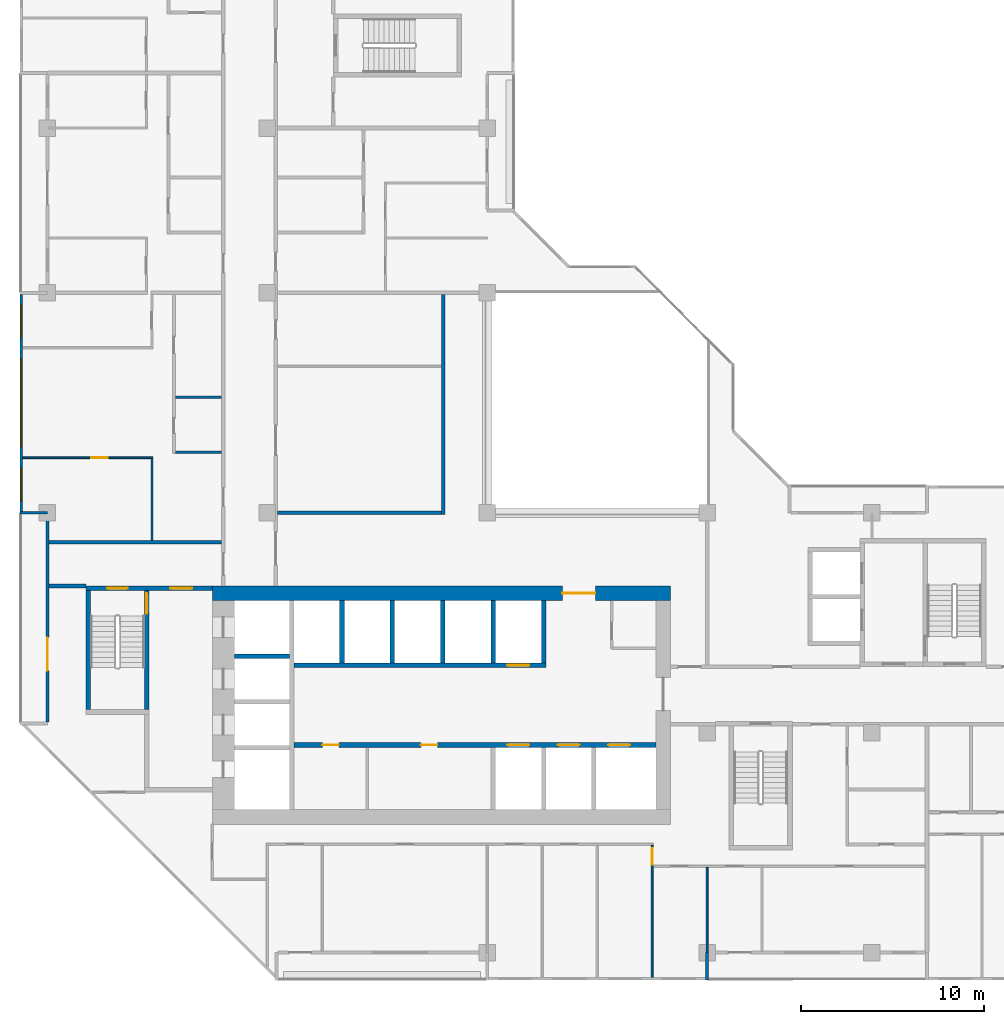
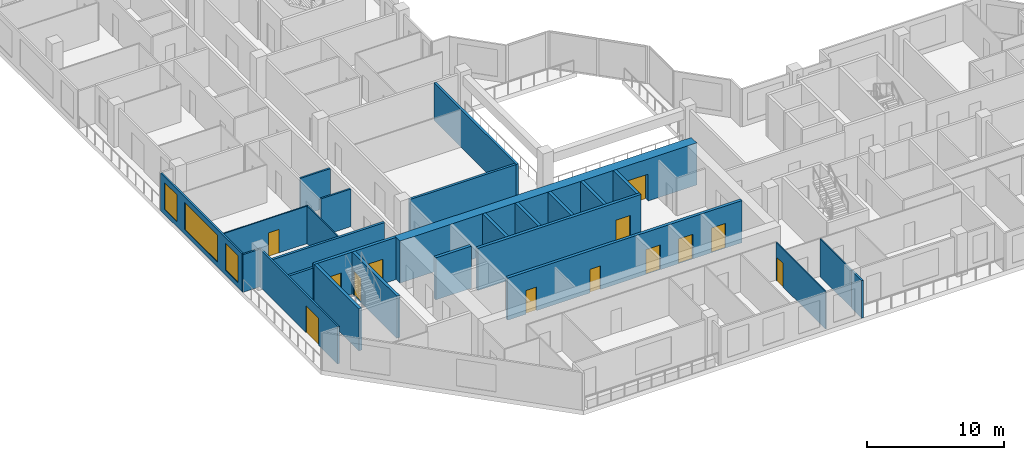
# One storey, part 5 of 15: 26 walls, 13 doors, 3 windows, 16 openings.
"""IFC4 building model written with IfcOpenShell, lengths in metres."""

from ifc_helpers import new_model, si_unit, direction, frame, frame_2d, origin, place, context, subcontext, project, spatial, rectangle, extrude, material, layer, layer_set, type_object, element, fill, save


model = new_model("IFC4")

# Units and contexts
model_context = context("Model", 3, precision=1e-05, world=origin(), true_north=direction((0.0, 1.0)))
body_context = subcontext(model_context, "Body", "Model", "MODEL_VIEW")
ifc_project = project(units=[si_unit("LENGTHUNIT", "METRE"), si_unit("AREAUNIT", "SQUARE_METRE"), si_unit("VOLUMEUNIT", "CUBIC_METRE"), si_unit("PLANEANGLEUNIT", "RADIAN"), si_unit("MASSUNIT", "GRAM", prefix="KILO")], contexts=[model_context])

# Site, building, storey
site_placement = place(None, origin())
site = spatial("IfcSite", under=ifc_project, at=site_placement, CompositionType="ELEMENT")
building_placement = place(site_placement, origin())
building = spatial("IfcBuilding", under=site, at=building_placement, Name="Chenar Terraces", CompositionType="ELEMENT")
storey_placement = place(building_placement, frame((0.0, 0.0, 198.64990234375)))
storey = spatial("IfcBuildingStorey", under=building, at=storey_placement, Name="L46", CompositionType="ELEMENT", Elevation=198.64990234375)

# Wall, openings, doors
ifc_material_1 = material(Name="Concrete C60/75", Category="concrete")
ifc_layer_1 = layer(ifc_material_1, 0.25)
ifc_layer_set_1 = layer_set([ifc_layer_1], Name="Concrete C60/75")
wall_type_1 = type_object("IfcWallType", Name="Core wall 250 Concrete C60/75", PredefinedType="SHEAR", material=ifc_layer_set_1)
wall_1_placement = place(storey_placement, frame((13.449951171875, 11.324951171875, 0.0), z_axis=(0.0, 0.0, 1.0), x_axis=(1.0, 0.0, 0.0)))
wall_1 = element("IfcWall", 1, at=wall_1_placement, inside=storey, type_object=wall_type_1, Name="Core wall SF L46", PredefinedType="SHEAR", context=body_context, shape_type="SweptSolid", body=[
    extrude(rectangle(XDim=19.75, YDim=0.25, at=frame_2d((9.875, 0.0))), origin(), (0.0, 0.0, 1.0), 3.75),
])
opening_1_placement = place(wall_1_placement, frame((11.64990234375, 0.0, 0.0)))
opening_1 = element("IfcOpeningElement", 2, at=opening_1_placement, cuts=wall_1, Name="Opening DL46-LD1", PredefinedType="OPENING", context=body_context, shape_type="SweptSolid", body=[
    extrude(rectangle(XDim=1.199951171875, YDim=2.199951171875, at=frame_2d((0.60009765625, 1.10009765625))), frame((0.0, 0.135009765625, 0.0), z_axis=(0.0, -1.0, 0.0), x_axis=(1.0, 0.0, 0.0)), (0.0, 0.0, 1.0), 0.27001953125),
])
opening_2_placement = place(wall_1_placement, frame((14.39990234375, 0.0, 0.0)))
opening_2 = element("IfcOpeningElement", 3, at=opening_2_placement, cuts=wall_1, Name="Opening DL46-LD2", PredefinedType="OPENING", context=body_context, shape_type="SweptSolid", body=[
    extrude(rectangle(XDim=1.199951171875, YDim=2.199951171875, at=frame_2d((0.60009765625, 1.10009765625))), frame((0.0, 0.135009765625, 0.0), z_axis=(0.0, -1.0, 0.0), x_axis=(1.0, 0.0, 0.0)), (0.0, 0.0, 1.0), 0.27001953125),
])
opening_3_placement = place(wall_1_placement, frame((17.14990234375, 0.0, 0.0)))
opening_3 = element("IfcOpeningElement", 4, at=opening_3_placement, cuts=wall_1, Name="Opening DL46-LD3", PredefinedType="OPENING", context=body_context, shape_type="SweptSolid", body=[
    extrude(rectangle(XDim=1.199951171875, YDim=2.199951171875, at=frame_2d((0.60009765625, 1.10009765625))), frame((0.0, 0.135009765625, 0.0), z_axis=(0.0, -1.0, 0.0), x_axis=(1.0, 0.0, 0.0)), (0.0, 0.0, 1.0), 0.27001953125),
])
opening_4_placement = place(wall_1_placement, frame((1.550048828125, 0.0, 0.0)))
opening_4 = element("IfcOpeningElement", 5, at=opening_4_placement, cuts=wall_1, Name="Opening DL46-C12", PredefinedType="OPENING", context=body_context, shape_type="SweptSolid", body=[
    extrude(rectangle(XDim=0.89990234375, YDim=2.10009765625, at=frame_2d((0.449951171875, 1.050048828125))), frame((0.0, 0.135009765625, 0.0), z_axis=(0.0, -1.0, 0.0), x_axis=(1.0, 0.0, 0.0)), (0.0, 0.0, 1.0), 0.27001953125),
])
opening_5_placement = place(wall_1_placement, frame((6.925048828125, 0.0, 0.0)))
opening_5 = element("IfcOpeningElement", 6, at=opening_5_placement, cuts=wall_1, Name="Opening DL46-C13", PredefinedType="OPENING", context=body_context, shape_type="SweptSolid", body=[
    extrude(rectangle(XDim=0.89990234375, YDim=2.10009765625, at=frame_2d((0.449951171875, 1.050048828125))), frame((0.0, 0.135009765625, 0.0), z_axis=(0.0, -1.0, 0.0), x_axis=(1.0, 0.0, 0.0)), (0.0, 0.0, 1.0), 0.27001953125),
])
ifc_material_2 = material(Name="Stainless steel", Category="steel")
door_type_1 = type_object("IfcDoorType", Name="Lift landing door 1200 x 2200 sliding", OperationType="DOUBLE_DOOR_SLIDING", PredefinedType="DOOR", material=ifc_material_2)
door_1_placement = place(opening_1_placement, origin())
door_1 = element("IfcDoor", 7, at=door_1_placement, inside=storey, type_object=door_type_1, Name="Landing door M1", OperationType="DOUBLE_DOOR_SLIDING", OverallHeight=2.199951171875, OverallWidth=1.199951171875, PredefinedType="DOOR", context=body_context, shape_type="SweptSolid", body=[
    extrude(rectangle(XDim=1.199951171875, YDim=2.199951171875, at=frame_2d((0.60009765625, 1.10009765625))), frame((0.0, 0.02490234375, 0.0), z_axis=(0.0, -1.0, 0.0), x_axis=(1.0, 0.0, 0.0)), (0.0, 0.0, 1.0), 0.050048828125),
])
fill(opening_1, door_1)
door_2_placement = place(opening_2_placement, origin())
door_2 = element("IfcDoor", 8, at=door_2_placement, inside=storey, type_object=door_type_1, Name="Landing door M2", OperationType="DOUBLE_DOOR_SLIDING", OverallHeight=2.199951171875, OverallWidth=1.199951171875, PredefinedType="DOOR", context=body_context, shape_type="SweptSolid", body=[
    extrude(rectangle(XDim=1.199951171875, YDim=2.199951171875, at=frame_2d((0.60009765625, 1.10009765625))), frame((0.0, 0.02490234375, 0.0), z_axis=(0.0, -1.0, 0.0), x_axis=(1.0, 0.0, 0.0)), (0.0, 0.0, 1.0), 0.050048828125),
])
fill(opening_2, door_2)
door_3_placement = place(opening_3_placement, origin())
door_3 = element("IfcDoor", 9, at=door_3_placement, inside=storey, type_object=door_type_1, Name="Landing door M3", OperationType="DOUBLE_DOOR_SLIDING", OverallHeight=2.199951171875, OverallWidth=1.199951171875, PredefinedType="DOOR", context=body_context, shape_type="SweptSolid", body=[
    extrude(rectangle(XDim=1.199951171875, YDim=2.199951171875, at=frame_2d((0.60009765625, 1.10009765625))), frame((0.0, 0.02490234375, 0.0), z_axis=(0.0, -1.0, 0.0), x_axis=(1.0, 0.0, 0.0)), (0.0, 0.0, 1.0), 0.050048828125),
])
fill(opening_3, door_3)
ifc_material_3 = material(Name="Steel-framed fire-resisting door leaf", Category="steel")
door_type_2 = type_object("IfcDoorType", Name="Riser fire door FD60 900 x 2100", OperationType="SINGLE_SWING_LEFT", PredefinedType="DOOR", material=ifc_material_3)
door_4_placement = place(opening_4_placement, frame((0.89990234375, 0.0, 0.0), z_axis=(0.0, 0.0, 1.0), x_axis=(-1.0, 0.0, 0.0)))
door_4 = element("IfcDoor", 10, at=door_4_placement, inside=storey, type_object=door_type_2, Name="Core room door DL46-C12", OperationType="SINGLE_SWING_LEFT", OverallHeight=2.10009765625, OverallWidth=0.89990234375, PredefinedType="DOOR", context=body_context, shape_type="SweptSolid", body=[
    extrude(rectangle(XDim=0.89990234375, YDim=2.10009765625, at=frame_2d((0.449951171875, 1.050048828125))), frame((0.0, 0.02490234375, 0.0), z_axis=(0.0, -1.0, 0.0), x_axis=(1.0, 0.0, 0.0)), (0.0, 0.0, 1.0), 0.050048828125),
])
fill(opening_4, door_4)
door_5_placement = place(opening_5_placement, frame((0.89990234375, 0.0, 0.0), z_axis=(0.0, 0.0, 1.0), x_axis=(-1.0, 0.0, 0.0)))
door_5 = element("IfcDoor", 11, at=door_5_placement, inside=storey, type_object=door_type_2, Name="Core room door DL46-C13", OperationType="SINGLE_SWING_RIGHT", OverallHeight=2.10009765625, OverallWidth=0.89990234375, PredefinedType="DOOR", context=body_context, shape_type="SweptSolid", body=[
    extrude(rectangle(XDim=0.89990234375, YDim=2.10009765625, at=frame_2d((0.449951171875, 1.050048828125))), frame((0.0, 0.02490234375, 0.0), z_axis=(0.0, -1.0, 0.0), x_axis=(1.0, 0.0, 0.0)), (0.0, 0.0, 1.0), 0.050048828125),
])
fill(opening_5, door_5)

# Wall, opening, door
wall_2_placement = place(storey_placement, frame((13.449951171875, 15.675048828125, 0.0), z_axis=(0.0, 0.0, 1.0), x_axis=(1.0, 0.0, 0.0)))
wall_2 = element("IfcWall", 12, at=wall_2_placement, inside=storey, type_object=wall_type_1, Name="Core wall NF L46", PredefinedType="SHEAR", context=body_context, shape_type="SweptSolid", body=[
    extrude(rectangle(XDim=13.75, YDim=0.25, at=frame_2d((6.875, 0.0))), origin(), (0.0, 0.0, 1.0), 3.75),
])
opening_6_placement = place(wall_2_placement, frame((11.64990234375, 0.0, 0.0)))
opening_6 = element("IfcOpeningElement", 13, at=opening_6_placement, cuts=wall_2, Name="Opening DL46-LD4", PredefinedType="OPENING", context=body_context, shape_type="SweptSolid", body=[
    extrude(rectangle(XDim=1.199951171875, YDim=2.199951171875, at=frame_2d((0.60009765625, 1.10009765625))), frame((0.0, 0.135009765625, 0.0), z_axis=(0.0, -1.0, 0.0), x_axis=(1.0, 0.0, 0.0)), (0.0, 0.0, 1.0), 0.27001953125),
])
door_6_placement = place(opening_6_placement, origin())
door_6 = element("IfcDoor", 14, at=door_6_placement, inside=storey, type_object=door_type_1, Name="Landing door M4", OperationType="DOUBLE_DOOR_SLIDING", OverallHeight=2.199951171875, OverallWidth=1.199951171875, PredefinedType="DOOR", context=body_context, shape_type="SweptSolid", body=[
    extrude(rectangle(XDim=1.199951171875, YDim=2.199951171875, at=frame_2d((0.60009765625, 1.10009765625))), frame((0.0, 0.02490234375, 0.0), z_axis=(0.0, -1.0, 0.0), x_axis=(1.0, 0.0, 0.0)), (0.0, 0.0, 1.0), 0.050048828125),
])
fill(opening_6, door_6)

# Walls
wall_3_placement = place(storey_placement, frame((10.199951171875, 16.175048828125, 0.0), z_axis=(0.0, 0.0, 1.0), x_axis=(1.0, 0.0, 0.0)))
element("IfcWall", 15, at=wall_3_placement, inside=storey, type_object=wall_type_1, Name="Core wall HW2 L46", PredefinedType="SHEAR", context=body_context, shape_type="SweptSolid", body=[
    extrude(rectangle(XDim=3.0, YDim=0.25, at=frame_2d((1.5, 0.0))), origin(), (0.0, 0.0, 1.0), 3.75),
])
for number, where, z_axis, x_axis, name in (
    (16, (16.074951171875, 15.800048828125, 0.0), (0.0, 0.0, 1.0), (0.0, 1.0, 0.0), "Core wall NS0 L46"),
    (17, (18.824951171875, 15.800048828125, 0.0), (0.0, 0.0, 1.0), (0.0, 1.0, 0.0), "Core wall NS1 L46"),
    (18, (21.574951171875, 15.800048828125, 0.0), (0.0, 0.0, 1.0), (0.0, 1.0, 0.0), "Core wall NS2 L46"),
    (19, (24.324951171875, 15.800048828125, 0.0), (0.0, 0.0, 1.0), (0.0, 1.0, 0.0), "Core wall NS3 L46"),
    (20, (27.074951171875, 15.800048828125, 0.0), (0.0, 0.0, 1.0), (0.0, 1.0, 0.0), "Core wall NE L46"),
):
    element("IfcWall", number, at=place(storey_placement, frame(where, z_axis=z_axis, x_axis=x_axis)), inside=storey, type_object=wall_type_1, Name=name, PredefinedType="SHEAR", context=body_context, shape_type="SweptSolid", body=[
        extrude(rectangle(XDim=3.39990234375, YDim=0.25, at=frame_2d((1.699951171875, 0.0))), origin(), (0.0, 0.0, 1.0), 3.75),
    ])

# Wall, openings, doors
wall_4_placement = place(storey_placement, frame((2.10009765625, 19.875, 0.0), z_axis=(0.0, 0.0, 1.0), x_axis=(1.0, 0.0, 0.0)))
wall_4 = element("IfcWall", 21, at=wall_4_placement, inside=storey, type_object=wall_type_1, Name="Core wall A_N L46", PredefinedType="SHEAR", context=body_context, shape_type="SweptSolid", body=[
    extrude(rectangle(XDim=6.89990234375, YDim=0.25, at=frame_2d((3.449951171875, 0.0))), origin(), (0.0, 0.0, 1.0), 3.75),
])
opening_7_placement = place(wall_4_placement, frame((1.175048828125, 0.0, 0.0)))
opening_7 = element("IfcOpeningElement", 22, at=opening_7_placement, cuts=wall_4, Name="Opening DL46-C5", PredefinedType="OPENING", context=body_context, shape_type="SweptSolid", body=[
    extrude(rectangle(XDim=1.10009765625, YDim=2.199951171875, at=frame_2d((0.550048828125, 1.10009765625))), frame((0.0, 0.135009765625, 0.0), z_axis=(0.0, -1.0, 0.0), x_axis=(1.0, 0.0, 0.0)), (0.0, 0.0, 1.0), 0.27001953125),
])
opening_8_placement = place(wall_4_placement, frame((4.60009765625, 0.0, 0.0)))
opening_8 = element("IfcOpeningElement", 23, at=opening_8_placement, cuts=wall_4, Name="Opening DL46-C6", PredefinedType="OPENING", context=body_context, shape_type="SweptSolid", body=[
    extrude(rectangle(XDim=1.199951171875, YDim=2.199951171875, at=frame_2d((0.60009765625, 1.10009765625))), frame((0.0, 0.135009765625, 0.0), z_axis=(0.0, -1.0, 0.0), x_axis=(1.0, 0.0, 0.0)), (0.0, 0.0, 1.0), 0.27001953125),
])
ifc_material_4 = material(Name="Steel-framed fire-resisting door leaf", Category="steel")
door_type_3 = type_object("IfcDoorType", Name="Lobby fire door FD60 1200 x 2200", OperationType="SINGLE_SWING_LEFT", PredefinedType="DOOR", material=ifc_material_4)
door_7_placement = place(opening_8_placement, frame((1.199951171875, 0.0, 0.0), z_axis=(0.0, 0.0, 1.0), x_axis=(-1.0, 0.0, 0.0)))
door_7 = element("IfcDoor", 24, at=door_7_placement, inside=storey, type_object=door_type_3, Name="Core door DL46-C6", OperationType="SINGLE_SWING_LEFT", OverallHeight=2.199951171875, OverallWidth=1.199951171875, PredefinedType="DOOR", context=body_context, shape_type="SweptSolid", body=[
    extrude(rectangle(XDim=1.199951171875, YDim=2.199951171875, at=frame_2d((0.60009765625, 1.10009765625))), frame((0.0, 0.02490234375, 0.0), z_axis=(0.0, -1.0, 0.0), x_axis=(1.0, 0.0, 0.0)), (0.0, 0.0, 1.0), 0.050048828125),
])
fill(opening_8, door_7)
ifc_material_5 = material(Name="Steel-framed fire-resisting door leaf", Category="steel")
door_type_4 = type_object("IfcDoorType", Name="Stair fire door FD60 1100 x 2200", OperationType="SINGLE_SWING_LEFT", PredefinedType="DOOR", material=ifc_material_5)
door_8_placement = place(opening_7_placement, origin())
door_8 = element("IfcDoor", 25, at=door_8_placement, inside=storey, type_object=door_type_4, Name="Stair door DL46-C5", OperationType="SINGLE_SWING_LEFT", OverallHeight=2.199951171875, OverallWidth=1.10009765625, PredefinedType="DOOR", context=body_context, shape_type="SweptSolid", body=[
    extrude(rectangle(XDim=1.10009765625, YDim=2.199951171875, at=frame_2d((0.550048828125, 1.10009765625))), frame((0.0, 0.02490234375, 0.0), z_axis=(0.0, -1.0, 0.0), x_axis=(1.0, 0.0, 0.0)), (0.0, 0.0, 1.0), 0.050048828125),
])
fill(opening_7, door_8)

# Wall
wall_5_placement = place(storey_placement, frame((2.22509765625, 13.25, 0.0), z_axis=(0.0, 0.0, 1.0), x_axis=(0.0, 1.0, 0.0)))
element("IfcWall", 26, at=wall_5_placement, inside=storey, type_object=wall_type_1, Name="Core wall ST1_W L46", PredefinedType="SHEAR", context=body_context, shape_type="SweptSolid", body=[
    extrude(rectangle(XDim=6.5, YDim=0.25, at=frame_2d((3.25, 0.0))), origin(), (0.0, 0.0, 1.0), 3.75),
])

# Wall, opening, door
wall_6_placement = place(storey_placement, frame((5.425048828125, 13.25, 0.0), z_axis=(0.0, 0.0, 1.0), x_axis=(0.0, 1.0, 0.0)))
wall_6 = element("IfcWall", 27, at=wall_6_placement, inside=storey, type_object=wall_type_1, Name="Core wall ST1_E L46", PredefinedType="SHEAR", context=body_context, shape_type="SweptSolid", body=[
    extrude(rectangle(XDim=6.5, YDim=0.25, at=frame_2d((3.25, 0.0))), origin(), (0.0, 0.0, 1.0), 3.75),
])
opening_9_placement = place(wall_6_placement, frame((5.25, 0.0, 0.0)))
opening_9 = element("IfcOpeningElement", 28, at=opening_9_placement, cuts=wall_6, Name="Opening DL46-C3", PredefinedType="OPENING", context=body_context, shape_type="SweptSolid", body=[
    extrude(rectangle(XDim=1.10009765625, YDim=2.199951171875, at=frame_2d((0.550048828125, 1.10009765625))), frame((0.0, 0.135009765625, 0.0), z_axis=(0.0, -1.0, 0.0), x_axis=(1.0, 0.0, 0.0)), (0.0, 0.0, 1.0), 0.27001953125),
])
door_9_placement = place(opening_9_placement, origin())
door_9 = element("IfcDoor", 29, at=door_9_placement, inside=storey, type_object=door_type_4, Name="Stair door DL46-C3", OperationType="SINGLE_SWING_RIGHT", OverallHeight=2.199951171875, OverallWidth=1.10009765625, PredefinedType="DOOR", context=body_context, shape_type="SweptSolid", body=[
    extrude(rectangle(XDim=1.10009765625, YDim=2.199951171875, at=frame_2d((0.550048828125, 1.10009765625))), frame((0.0, 0.02490234375, 0.0), z_axis=(0.0, -1.0, 0.0), x_axis=(1.0, 0.0, 0.0)), (0.0, 0.0, 1.0), 0.050048828125),
])
fill(opening_9, door_9)

ifc_material_6 = material(Name="Concrete C60/75", Category="concrete")
ifc_layer_2 = layer(ifc_material_6, 0.800048828125)
ifc_layer_set_2 = layer_set([ifc_layer_2], Name="Concrete C60/75")
wall_type_2 = type_object("IfcWallType", Name="Core wall 800 Concrete C60/75", PredefinedType="SHEAR", material=ifc_layer_set_2)
wall_7_placement = place(storey_placement, frame((9.0, 19.60009765625, 0.0), z_axis=(0.0, 0.0, 1.0), x_axis=(1.0, 0.0, 0.0)))
wall_7 = element("IfcWall", 30, at=wall_7_placement, inside=storey, type_object=wall_type_2, Name="Core wall N L46", PredefinedType="SHEAR", context=body_context, shape_type="SweptSolid", body=[
    extrude(rectangle(XDim=25.0, YDim=0.800048828125, at=frame_2d((12.5, 0.0))), origin(), (0.0, 0.0, 1.0), 3.75),
])
opening_10_placement = place(wall_7_placement, frame((19.10009765625, 0.0, 0.0)))
opening_10 = element("IfcOpeningElement", 31, at=opening_10_placement, cuts=wall_7, Name="Opening DL46-C2", PredefinedType="OPENING", context=body_context, shape_type="SweptSolid", body=[
    extrude(rectangle(XDim=1.800048828125, YDim=2.39990234375, at=frame_2d((0.89990234375, 1.199951171875))), frame((0.0, 0.409912109375, 0.0), z_axis=(0.0, -1.0, 0.0), x_axis=(1.0, 0.0, 0.0)), (0.0, 0.0, 1.0), 0.820068359375),
])
ifc_material_7 = material(Name="Steel-framed fire-resisting door leaf", Category="steel")
door_type_5 = type_object("IfcDoorType", Name="Core entrance double fire door FD60 1800 x 2400", OperationType="DOUBLE_DOOR_SINGLE_SWING", PredefinedType="DOOR", material=ifc_material_7)
door_10_placement = place(opening_10_placement, frame((1.800048828125, 0.0, 0.0), z_axis=(0.0, 0.0, 1.0), x_axis=(-1.0, 0.0, 0.0)))
door_10 = element("IfcDoor", 32, at=door_10_placement, inside=storey, type_object=door_type_5, Name="Core door DL46-C2", OperationType="DOUBLE_DOOR_SINGLE_SWING", OverallHeight=2.39990234375, OverallWidth=1.800048828125, PredefinedType="DOOR", context=body_context, shape_type="SweptSolid", body=[
    extrude(rectangle(XDim=1.800048828125, YDim=2.39990234375, at=frame_2d((0.89990234375, 1.199951171875))), frame((0.0, 0.02490234375, 0.0), z_axis=(0.0, -1.0, 0.0), x_axis=(1.0, 0.0, 0.0)), (0.0, 0.0, 1.0), 0.050048828125),
])
fill(opening_10, door_10)

# Walls
ifc_material_8 = material(Name="Gypsum board on steel studs with fire boards", Category="steel")
ifc_layer_3 = layer(ifc_material_8, 0.199951171875)
ifc_layer_set_3 = layer_set([ifc_layer_3], Name="Gypsum board on steel studs with fire boards")
wall_type_3 = type_object("IfcWallType", Name="Corridor wall 200", PredefinedType="PARTITIONING", material=ifc_layer_set_3)
wall_8_placement = place(storey_placement, frame((0.073974609375, 20.0, 0.0), z_axis=(0.0, 0.0, 1.0), x_axis=(1.0, 0.0, 0.0)))
element("IfcWall", 33, at=wall_8_placement, inside=storey, type_object=wall_type_3, Name="Partition L46-008", PredefinedType="PARTITIONING", context=body_context, shape_type="SweptSolid", body=[
    extrude(rectangle(XDim=2.026123046875, YDim=0.199951171875, at=frame_2d((1.01318359375, 0.0))), origin(), (0.0, 0.0, 1.0), 3.35009765625),
])
wall_9_placement = place(storey_placement, frame((0.073974609375, 22.39990234375, 0.0), z_axis=(0.0, 0.0, 1.0), x_axis=(1.0, 0.0, 0.0)))
element("IfcWall", 34, at=wall_9_placement, inside=storey, type_object=wall_type_3, Name="Partition L46-009", PredefinedType="PARTITIONING", context=body_context, shape_type="SweptSolid", body=[
    extrude(rectangle(XDim=9.426025390625, YDim=0.199951171875, at=frame_2d((4.712890625, 0.0))), origin(), (0.0, 0.0, 1.0), 3.35009765625),
])
wall_10_placement = place(storey_placement, frame((12.550048828125, 24.0, 0.0), z_axis=(0.0, 0.0, 1.0), x_axis=(1.0, 0.0, 0.0)))
element("IfcWall", 35, at=wall_10_placement, inside=storey, type_object=wall_type_3, Name="Partition L46-037", PredefinedType="PARTITIONING", context=body_context, shape_type="SweptSolid", body=[
    extrude(rectangle(XDim=8.949951171875, YDim=0.199951171875, at=frame_2d((4.47509765625, 0.0))), origin(), (0.0, 0.0, 1.0), 3.35009765625),
])
wall_11_placement = place(storey_placement, frame((21.60009765625, 23.89990234375, 0.0), z_axis=(0.0, 0.0, 1.0), x_axis=(0.0, 1.0, 0.0)))
element("IfcWall", 36, at=wall_11_placement, inside=storey, type_object=wall_type_3, Name="Partition L46-058", PredefinedType="PARTITIONING", context=body_context, shape_type="SweptSolid", body=[
    extrude(rectangle(XDim=12.0, YDim=0.199951171875, at=frame_2d((6.0, 0.0))), origin(), (0.0, 0.0, 1.0), 3.35009765625),
])

# Wall, openings, windows
ifc_material_9 = material(Name="Aluminium framed glazing", Category="aluminium")
ifc_layer_4 = layer(ifc_material_9, 0.14990234375)
ifc_layer_set_4 = layer_set([ifc_layer_4], Name="Aluminium framed glazing")
wall_type_4 = type_object("IfcWallType", Name="Glazed flush facade wall 150", PredefinedType="SOLIDWALL", material=ifc_layer_set_4)
wall_12_placement = place(storey_placement, frame((-1.425048828125, 35.925048828125, 0.0), z_axis=(0.0, 0.0, 1.0), x_axis=(0.0, -1.0, 0.0)))
wall_12 = element("IfcWall", 37, at=wall_12_placement, inside=storey, type_object=wall_type_4, Name="Glazed flush facade wall", PredefinedType="SOLIDWALL", context=body_context, shape_type="SweptSolid", body=[
    extrude(rectangle(XDim=11.85009765625, YDim=0.14990234375, at=frame_2d((5.925048828125, 0.0))), origin(), (0.0, 0.0, 1.0), 3.35009765625),
])
opening_11_placement = place(wall_12_placement, frame((0.5625, 0.0, 0.449951171875)))
opening_11 = element("IfcOpeningElement", 38, at=opening_11_placement, cuts=wall_12, Name="Opening W180x240", PredefinedType="OPENING", context=body_context, shape_type="SweptSolid", body=[
    extrude(rectangle(XDim=1.800048828125, YDim=2.39990234375, at=frame_2d((0.89990234375, 1.199951171875))), frame((0.0, 0.0849609375, 0.0), z_axis=(0.0, -1.0, 0.0), x_axis=(1.0, 0.0, 0.0)), (0.0, 0.0, 1.0), 0.169921875),
])
opening_12_placement = place(wall_12_placement, frame((3.52490234375, 0.0, 0.449951171875)))
opening_12 = element("IfcOpeningElement", 39, at=opening_12_placement, cuts=wall_12, Name="Opening W480x240", PredefinedType="OPENING", context=body_context, shape_type="SweptSolid", body=[
    extrude(rectangle(XDim=4.800048828125, YDim=2.39990234375, at=frame_2d((2.39990234375, 1.199951171875))), frame((0.0, 0.0849609375, 0.0), z_axis=(0.0, -1.0, 0.0), x_axis=(1.0, 0.0, 0.0)), (0.0, 0.0, 1.0), 0.169921875),
])
opening_13_placement = place(wall_12_placement, frame((9.487548828125, 0.0, 0.449951171875)))
opening_13 = element("IfcOpeningElement", 40, at=opening_13_placement, cuts=wall_12, Name="Opening W180x240", PredefinedType="OPENING", context=body_context, shape_type="SweptSolid", body=[
    extrude(rectangle(XDim=1.800048828125, YDim=2.39990234375, at=frame_2d((0.89990234375, 1.199951171875))), frame((0.0, 0.0849609375, 0.0), z_axis=(0.0, -1.0, 0.0), x_axis=(1.0, 0.0, 0.0)), (0.0, 0.0, 1.0), 0.169921875),
])
ifc_material_10 = material(Name="Low emissivity double glazing, aluminium frame", Category="aluminium")
window_type_1 = type_object("IfcWindowType", Name="Fixed light 1800 x 2400", PartitioningType="SINGLE_PANEL", PredefinedType="WINDOW", material=ifc_material_10)
window_1_placement = place(opening_11_placement, origin())
window_1 = element("IfcWindow", 41, at=window_1_placement, inside=storey, type_object=window_type_1, Name="Window", OverallHeight=2.39990234375, OverallWidth=1.800048828125, PartitioningType="SINGLE_PANEL", PredefinedType="WINDOW", context=body_context, shape_type="SweptSolid", body=[
    extrude(rectangle(XDim=1.800048828125, YDim=2.39990234375, at=frame_2d((0.89990234375, 1.199951171875))), frame((0.0, 0.030029296875, 0.0), z_axis=(0.0, -1.0, 0.0), x_axis=(1.0, 0.0, 0.0)), (0.0, 0.0, 1.0), 0.06005859375),
])
fill(opening_11, window_1)
window_2_placement = place(opening_13_placement, origin())
window_2 = element("IfcWindow", 42, at=window_2_placement, inside=storey, type_object=window_type_1, Name="Window", OverallHeight=2.39990234375, OverallWidth=1.800048828125, PartitioningType="SINGLE_PANEL", PredefinedType="WINDOW", context=body_context, shape_type="SweptSolid", body=[
    extrude(rectangle(XDim=1.800048828125, YDim=2.39990234375, at=frame_2d((0.89990234375, 1.199951171875))), frame((0.0, 0.030029296875, 0.0), z_axis=(0.0, -1.0, 0.0), x_axis=(1.0, 0.0, 0.0)), (0.0, 0.0, 1.0), 0.06005859375),
])
fill(opening_13, window_2)
ifc_material_11 = material(Name="Low emissivity double glazing, aluminium frame", Category="aluminium")
window_type_2 = type_object("IfcWindowType", Name="Fixed light 4800 x 2400", PartitioningType="SINGLE_PANEL", PredefinedType="WINDOW", material=ifc_material_11)
window_3_placement = place(opening_12_placement, origin())
window_3 = element("IfcWindow", 43, at=window_3_placement, inside=storey, type_object=window_type_2, Name="Window", OverallHeight=2.39990234375, OverallWidth=4.800048828125, PartitioningType="SINGLE_PANEL", PredefinedType="WINDOW", context=body_context, shape_type="SweptSolid", body=[
    extrude(rectangle(XDim=4.800048828125, YDim=2.39990234375, at=frame_2d((2.39990234375, 1.199951171875))), frame((0.0, 0.030029296875, 0.0), z_axis=(0.0, -1.0, 0.0), x_axis=(1.0, 0.0, 0.0)), (0.0, 0.0, 1.0), 0.06005859375),
])
fill(opening_12, window_3)

# Wall, opening, door
ifc_material_12 = material(Name="Aluminium framed glazing", Category="aluminium")
ifc_layer_5 = layer(ifc_material_12, 0.14990234375)
ifc_layer_set_5 = layer_set([ifc_layer_5], Name="Aluminium framed glazing")
wall_type_5 = type_object("IfcWallType", Name="Glazed loggia back wall 150", PredefinedType="SOLIDWALL", material=ifc_layer_set_5)
wall_13_placement = place(storey_placement, frame((0.0, 23.925048828125, 0.0), z_axis=(0.0, 0.0, 1.0), x_axis=(0.0, -1.0, 0.0)))
wall_13 = element("IfcWall", 44, at=wall_13_placement, inside=storey, type_object=wall_type_5, Name="Glazed loggia back wall", PredefinedType="SOLIDWALL", context=body_context, shape_type="SweptSolid", body=[
    extrude(rectangle(XDim=11.35009765625, YDim=0.14990234375, at=frame_2d((5.675048828125, 0.0))), origin(), (0.0, 0.0, 1.0), 3.35009765625),
])
opening_14_placement = place(wall_13_placement, frame((6.737548828125, 0.0, 0.0)))
opening_14 = element("IfcOpeningElement", 45, at=opening_14_placement, cuts=wall_13, Name="Opening DL46-G4", PredefinedType="OPENING", context=body_context, shape_type="SweptSolid", body=[
    extrude(rectangle(XDim=1.800048828125, YDim=2.39990234375, at=frame_2d((0.89990234375, 1.199951171875))), frame((0.0, 0.0849609375, 0.0), z_axis=(0.0, -1.0, 0.0), x_axis=(1.0, 0.0, 0.0)), (0.0, 0.0, 1.0), 0.169921875),
])
ifc_material_13 = material(Name="Low emissivity double glazing, aluminium frame", Category="aluminium")
door_type_6 = type_object("IfcDoorType", Name="Loggia glazed double door 1800 x 2400", OperationType="DOUBLE_DOOR_SINGLE_SWING", PredefinedType="DOOR", material=ifc_material_13)
door_11_placement = place(opening_14_placement, frame((1.800048828125, 0.0, 0.0), z_axis=(0.0, 0.0, 1.0), x_axis=(-1.0, 0.0, 0.0)))
door_11 = element("IfcDoor", 46, at=door_11_placement, inside=storey, type_object=door_type_6, Name="Loggia glazed door", OperationType="DOUBLE_DOOR_SINGLE_SWING", OverallHeight=2.39990234375, OverallWidth=1.800048828125, PredefinedType="DOOR", context=body_context, shape_type="SweptSolid", body=[
    extrude(rectangle(XDim=1.800048828125, YDim=2.39990234375, at=frame_2d((0.89990234375, 1.199951171875))), frame((0.0, 0.02490234375, 0.0), z_axis=(0.0, -1.0, 0.0), x_axis=(1.0, 0.0, 0.0)), (0.0, 0.0, 1.0), 0.050048828125),
])
fill(opening_14, door_11)

ifc_material_14 = material(Name="Gypsum board on steel studs", Category="steel")
ifc_layer_6 = layer(ifc_material_14, 0.10009765625)
ifc_layer_set_6 = layer_set([ifc_layer_6], Name="Gypsum board on steel studs")
wall_type_6 = type_object("IfcWallType", Name="Gypsum partition 100", PredefinedType="PARTITIONING", material=ifc_layer_set_6)
wall_14_placement = place(storey_placement, frame((-1.35009765625, 27.0, 0.0), z_axis=(0.0, 0.0, 1.0), x_axis=(1.0, 0.0, 0.0)))
wall_14 = element("IfcWall", 47, at=wall_14_placement, inside=storey, type_object=wall_type_6, Name="Partition L46-002", PredefinedType="PARTITIONING", context=body_context, shape_type="SweptSolid", body=[
    extrude(rectangle(XDim=7.10009765625, YDim=0.10009765625, at=frame_2d((3.550048828125, 0.0))), origin(), (0.0, 0.0, 1.0), 3.35009765625),
])
opening_15_placement = place(wall_14_placement, frame((3.75, 0.0, 0.0)))
opening_15 = element("IfcOpeningElement", 48, at=opening_15_placement, cuts=wall_14, Name="Opening DL46-57", PredefinedType="OPENING", context=body_context, shape_type="SweptSolid", body=[
    extrude(rectangle(XDim=0.89990234375, YDim=2.10009765625, at=frame_2d((0.449951171875, 1.050048828125))), frame((0.0, 0.06005859375, 0.0), z_axis=(0.0, -1.0, 0.0), x_axis=(1.0, 0.0, 0.0)), (0.0, 0.0, 1.0), 0.1201171875),
])
ifc_material_15 = material(Name="Veneered timber door leaf", Category="wood")
door_type_7 = type_object("IfcDoorType", Name="Door 900 x 2100", OperationType="SINGLE_SWING_LEFT", PredefinedType="DOOR", material=ifc_material_15)
door_12_placement = place(opening_15_placement, frame((0.89990234375, 0.0, 0.0), z_axis=(0.0, 0.0, 1.0), x_axis=(-1.0, 0.0, 0.0)))
door_12 = element("IfcDoor", 49, at=door_12_placement, inside=storey, type_object=door_type_7, Name="Door DL46-57", OperationType="SINGLE_SWING_LEFT", OverallHeight=2.10009765625, OverallWidth=0.89990234375, PredefinedType="DOOR", context=body_context, shape_type="SweptSolid", body=[
    extrude(rectangle(XDim=0.89990234375, YDim=2.10009765625, at=frame_2d((0.449951171875, 1.050048828125))), frame((0.0, 0.02490234375, 0.0), z_axis=(0.0, -1.0, 0.0), x_axis=(1.0, 0.0, 0.0)), (0.0, 0.0, 1.0), 0.050048828125),
])
fill(opening_15, door_12)

# Wall
wall_15_placement = place(storey_placement, frame((5.699951171875, 22.5, 0.0), z_axis=(0.0, 0.0, 1.0), x_axis=(0.0, 1.0, 0.0)))
element("IfcWall", 50, at=wall_15_placement, inside=storey, type_object=wall_type_6, Name="Partition L46-019", PredefinedType="PARTITIONING", context=body_context, shape_type="SweptSolid", body=[
    extrude(rectangle(XDim=4.449951171875, YDim=0.10009765625, at=frame_2d((2.22509765625, 0.0))), origin(), (0.0, 0.0, 1.0), 3.35009765625),
])

# Wall, opening, door
wall_16_placement = place(storey_placement, frame((33.0, -1.35107421875, 0.0), z_axis=(0.0, 0.0, 1.0), x_axis=(0.0, 1.0, 0.0)))
wall_16 = element("IfcWall", 51, at=wall_16_placement, inside=storey, type_object=wall_type_6, Name="Partition L46-062", PredefinedType="PARTITIONING", context=body_context, shape_type="SweptSolid", body=[
    extrude(rectangle(XDim=7.201171875, YDim=0.10009765625, at=frame_2d((3.6005859375, 0.0))), origin(), (0.0, 0.0, 1.0), 3.35009765625),
])
opening_16_placement = place(wall_16_placement, frame((6.15087890625, 0.0, 0.0)))
opening_16 = element("IfcOpeningElement", 52, at=opening_16_placement, cuts=wall_16, Name="Opening DL46-47", PredefinedType="OPENING", context=body_context, shape_type="SweptSolid", body=[
    extrude(rectangle(XDim=0.89990234375, YDim=2.10009765625, at=frame_2d((0.449951171875, 1.050048828125))), frame((0.0, 0.06005859375, 0.0), z_axis=(0.0, -1.0, 0.0), x_axis=(1.0, 0.0, 0.0)), (0.0, 0.0, 1.0), 0.1201171875),
])
door_13_placement = place(opening_16_placement, origin())
door_13 = element("IfcDoor", 53, at=door_13_placement, inside=storey, type_object=door_type_7, Name="Door DL46-47", OperationType="SINGLE_SWING_RIGHT", OverallHeight=2.10009765625, OverallWidth=0.89990234375, PredefinedType="DOOR", context=body_context, shape_type="SweptSolid", body=[
    extrude(rectangle(XDim=0.89990234375, YDim=2.10009765625, at=frame_2d((0.449951171875, 1.050048828125))), frame((0.0, 0.02490234375, 0.0), z_axis=(0.0, -1.0, 0.0), x_axis=(1.0, 0.0, 0.0)), (0.0, 0.0, 1.0), 0.050048828125),
])
fill(opening_16, door_13)

# Walls
wall_17_placement = place(storey_placement, frame((36.0, 0.0, 0.0), z_axis=(0.0, 0.0, 1.0), x_axis=(0.0, 1.0, 0.0)))
element("IfcWall", 54, at=wall_17_placement, inside=storey, type_object=wall_type_6, Name="Partition L46-066", PredefinedType="PARTITIONING", context=body_context, shape_type="SweptSolid", body=[
    extrude(rectangle(XDim=4.64990234375, YDim=0.10009765625, at=frame_2d((2.324951171875, 0.0))), origin(), (0.0, 0.0, 1.0), 3.35009765625),
])
ifc_material_16 = material(Name="Terracotta cladding on insulated backing", Category="masonry")
ifc_layer_7 = layer(ifc_material_16, 0.14990234375)
ifc_layer_set_7 = layer_set([ifc_layer_7], Name="Terracotta cladding on insulated backing")
wall_type_7 = type_object("IfcWallType", Name="Loggia return wall 150", PredefinedType="SOLIDWALL", material=ifc_layer_set_7)
for number, where, z_axis, x_axis, name in (
    (55, (-1.5, 24.0, 0.0), (0.0, 0.0, 1.0), (1.0, 0.0, 0.0), "Loggia return wall"),
    (56, (36.0, -1.5, 0.0), (0.0, 0.0, 1.0), (0.0, 1.0, 0.0), "Loggia return wall"),
):
    element("IfcWall", number, at=place(storey_placement, frame(where, z_axis=z_axis, x_axis=x_axis)), inside=storey, type_object=wall_type_7, Name=name, PredefinedType="SOLIDWALL", context=body_context, shape_type="SweptSolid", body=[
        extrude(rectangle(XDim=1.5, YDim=0.14990234375, at=frame_2d((0.75, 0.0))), origin(), (0.0, 0.0, 1.0), 3.35009765625),
    ])
ifc_material_17 = material(Name="Moisture-resistant gypsum board on steel studs", Category="steel")
ifc_layer_8 = layer(ifc_material_17, 0.14990234375)
ifc_layer_set_8 = layer_set([ifc_layer_8], Name="Moisture-resistant gypsum board on steel studs")
wall_type_8 = type_object("IfcWallType", Name="Wet-room partition 150", PredefinedType="PARTITIONING", material=ifc_layer_set_8)
for number, where, z_axis, x_axis, name in (
    (57, (6.97509765625, 27.300048828125, 0.0), (0.0, 0.0, 1.0), (1.0, 0.0, 0.0), "Partition L46-029"),
    (58, (6.97509765625, 30.300048828125, 0.0), (0.0, 0.0, 1.0), (1.0, 0.0, 0.0), "Partition L46-030"),
):
    element("IfcWall", number, at=place(storey_placement, frame(where, z_axis=z_axis, x_axis=x_axis)), inside=storey, type_object=wall_type_8, Name=name, PredefinedType="PARTITIONING", context=body_context, shape_type="SweptSolid", body=[
        extrude(rectangle(XDim=2.52490234375, YDim=0.14990234375, at=frame_2d((1.262451171875, 0.0))), origin(), (0.0, 0.0, 1.0), 3.35009765625),
    ])

save(model, "model.ifc")
